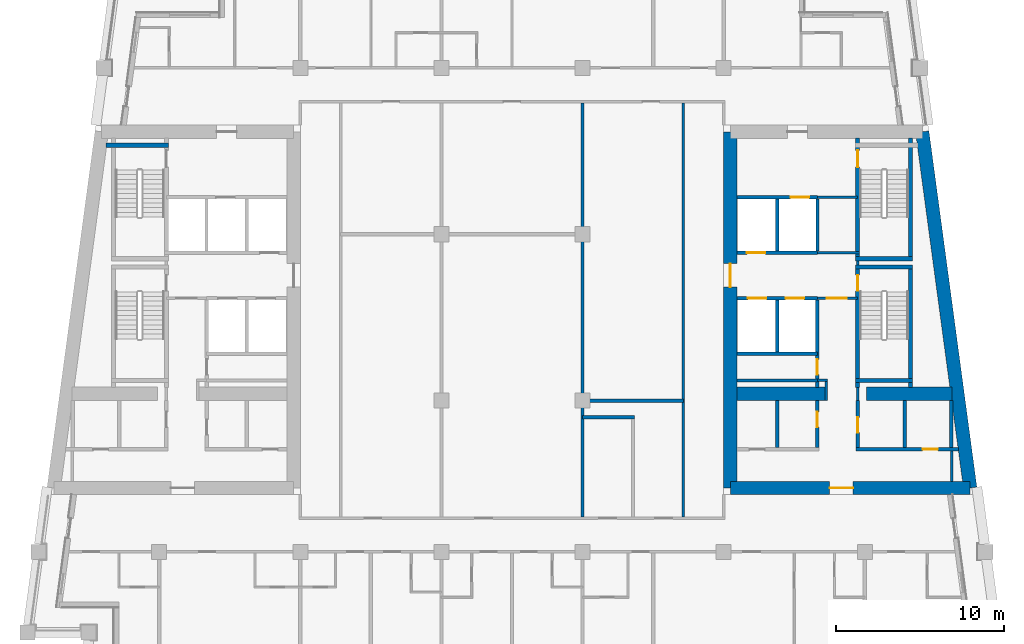
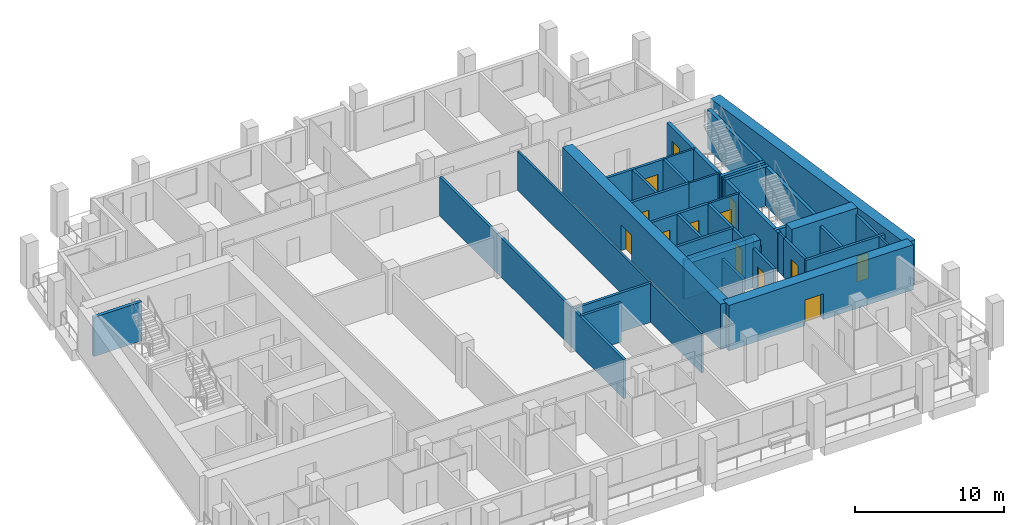
# One storey, part 5 of 13: 40 walls, 13 doors, 13 openings.
"""IFC4 building model written with IfcOpenShell, lengths in metres."""

import ifcopenshell
import ifcopenshell.guid

model = None  # the IFC model being written
_history = None  # IfcOwnerHistory: only IFC2X3 demands one
_inside = {}  # id of a spatial element -> (the spatial element, [elements in it])
_under = {}  # id of a project, library or spatial element -> (it, [spatial elements below it])
_declared = {}  # id of a project -> (the project, [libraries it declares])
_typed = {}  # id of a type object -> (the type object, [elements of that type])
_made_of = {}  # id of a material, layer set ... -> (it, [elements and type objects made of it])


def new_model(schema):
    """Start an empty IFC model of exactly this schema.

    Asked for "IFC4X3", IfcOpenShell would pick the latest addendum, in which some entities
    have other attributes; the version numbers below select the first issue.
    IFC2X3 requires an IfcOwnerHistory on every rooted entity: one is made here for all.
    """
    global model, _history
    if schema == "IFC4X3":
        model = ifcopenshell.file(schema_version=(4, 3, 0, 0))
    else:
        model = ifcopenshell.file(schema=schema)
    _inside.clear()
    _under.clear()
    _declared.clear()
    _typed.clear()
    _made_of.clear()
    _history = None
    if model.schema == "IFC2X3":
        org = make("IfcOrganization", Name="unknown")
        user = make(
            "IfcPersonAndOrganization",
            ThePerson=make("IfcPerson", FamilyName="unknown"),
            TheOrganization=org,
        )
        app = make(
            "IfcApplication",
            ApplicationDeveloper=org,
            Version="unknown",
            ApplicationFullName="unknown",
            ApplicationIdentifier="unknown",
        )
        _history = make(
            "IfcOwnerHistory",
            OwningUser=user,
            OwningApplication=app,
            ChangeAction="ADDED",
            CreationDate=0,
        )
    return model


def make(cls, **values):
    """One entity of the class cls with the attributes given. An attribute that is None is left unset."""
    return model.create_entity(
        cls, **{name: value for name, value in values.items() if value is not None}
    )


def rooted(cls, **values):
    """An entity with a GlobalId (a new one), such as an element, a storey or a relation."""
    return make(cls, GlobalId=ifcopenshell.guid.new(), OwnerHistory=_history, **values)


def si_unit(unit_type, name, prefix=None):
    """IfcSIUnit, for example si_unit("LENGTHUNIT", "METRE", prefix="MILLI")."""
    return make("IfcSIUnit", UnitType=unit_type, Prefix=prefix, Name=name)


def assignment(units):
    """IfcUnitAssignment: the units of a project."""
    return None if units is None else make("IfcUnitAssignment", Units=units)


def point(xyz):
    """IfcCartesianPoint."""
    return None if xyz is None else make("IfcCartesianPoint", Coordinates=xyz)


def direction(xyz):
    """IfcDirection."""
    return None if xyz is None else make("IfcDirection", DirectionRatios=xyz)


def frame(location, z_axis=None, x_axis=None):
    """IfcAxis2Placement3D, a coordinate frame: its origin and axes. An axis left out is left unset."""
    return make(
        "IfcAxis2Placement3D",
        Location=point(location),
        Axis=direction(z_axis),
        RefDirection=direction(x_axis),
    )


def frame_2d(location, x_axis=None):
    """IfcAxis2Placement2D, a coordinate frame in the plane: its origin and x axis."""
    return make(
        "IfcAxis2Placement2D", Location=point(location), RefDirection=direction(x_axis)
    )


def origin():
    """The frame at (0, 0, 0) with its axes left unset."""
    return frame((0.0, 0.0, 0.0))


def place(relative_to, where):
    """IfcLocalPlacement: puts the frame where relative to a parent placement (None: the world)."""
    return make(
        "IfcLocalPlacement", PlacementRelTo=relative_to, RelativePlacement=where
    )


def context(
    kind, dimensions, precision=None, world=None, true_north=None, identifier=None
):
    """IfcGeometricRepresentationContext, for example the 3D "Model" context."""
    return make(
        "IfcGeometricRepresentationContext",
        ContextIdentifier=identifier,
        ContextType=kind,
        CoordinateSpaceDimension=dimensions,
        Precision=precision,
        WorldCoordinateSystem=world,
        TrueNorth=true_north,
    )


def subcontext(parent, identifier, kind, view, scale=None):
    """IfcGeometricRepresentationSubContext, for example "Body" below "Model"."""
    return make(
        "IfcGeometricRepresentationSubContext",
        ContextIdentifier=identifier,
        ContextType=kind,
        ParentContext=parent,
        TargetScale=scale,
        TargetView=view,
    )


def project(units=None, contexts=None):
    """IfcProject with its units and contexts."""
    return rooted(
        "IfcProject",
        Name="project",
        RepresentationContexts=contexts,
        UnitsInContext=assignment(units),
    )


def spatial(cls, under=None, at=None, **own):
    """A site, building, storey or space (cls), placed at a placement, below another one or the project."""
    s = rooted(cls, ObjectPlacement=at, **own)
    if under is not None:
        _under.setdefault(under.id(), (under, []))[1].append(s)
    return s


def profile(cls, at=None, kind="AREA", **sizes):
    """A parametric profile (cls). Its sizes go by their IFC names, for example OverallWidth=200.0."""
    return make(cls, ProfileType=kind, Position=at, **sizes)


def rectangle(**sizes):
    """IfcRectangleProfileDef."""
    return profile("IfcRectangleProfileDef", **sizes)


def extrude(swept, where, along, depth):
    """IfcExtrudedAreaSolid: the profile swept, set in the frame where, extruded along a direction by depth."""
    return make(
        "IfcExtrudedAreaSolid",
        SweptArea=swept,
        Position=where,
        ExtrudedDirection=direction(along),
        Depth=depth,
    )


def shape(context_of_items, identifier, shape_type, items):
    """IfcShapeRepresentation: the items that make up one representation, for example the "Body"."""
    return make(
        "IfcShapeRepresentation",
        ContextOfItems=context_of_items,
        RepresentationIdentifier=identifier,
        RepresentationType=shape_type,
        Items=items,
    )


def material(Name=None, Category=None):
    """IfcMaterial."""
    return make("IfcMaterial", Name=Name, Category=Category)


def layer(
    of_material, thickness, ventilated=None, Name=None, Category=None, Priority=None
):
    """IfcMaterialLayer: one layer of a wall or slab, of a material (None: an air gap)."""
    return make(
        "IfcMaterialLayer",
        Material=of_material,
        LayerThickness=thickness,
        IsVentilated=ventilated,
        Name=Name,
        Category=Category,
        Priority=Priority,
    )


def layer_set(layers, Name=None):
    """IfcMaterialLayerSet."""
    return make("IfcMaterialLayerSet", MaterialLayers=layers, LayerSetName=Name)


def made_of(thing, what):
    """Note that an element or type object is made of a material, layer set ...; save() writes the relation."""
    if what is not None:
        _made_of.setdefault(what.id(), (what, []))[1].append(thing)
    return thing


def type_object(cls, material=None, **own):
    """A type object (cls), such as IfcWallType, which elements share."""
    return made_of(rooted(cls, **own), material)


def element(
    cls,
    number,
    at=None,
    inside=None,
    cuts=None,
    type_object=None,
    material=None,
    context=None,
    identifier="Body",
    shape_type=None,
    held_by="IfcProductDefinitionShape",
    body=None,
    shapes=None,
    **own,
):
    """One element of the class cls, such as IfcWall. Its Tag is "e" and its number.

    at: its placement. inside: the storey or other place that contains it. cuts: it is an
    opening in that element (IfcRelVoidsElement). A single representation is given by context,
    identifier, shape_type and body (its items); several are given by shapes. held_by: the class
    of the entity that holds the representations. save() writes the other relations.
    """
    e = rooted(cls, Tag="e%d" % number, ObjectPlacement=at, **own)
    if body is not None:
        shapes = [shape(context, identifier, shape_type, body)]
    if shapes is not None:
        e.Representation = make(held_by, Representations=shapes)
    if inside is not None:
        _inside.setdefault(inside.id(), (inside, []))[1].append(e)
    if cuts is not None:
        rooted(
            "IfcRelVoidsElement", RelatingBuildingElement=cuts, RelatedOpeningElement=e
        )
    if type_object is not None:
        _typed.setdefault(type_object.id(), (type_object, []))[1].append(e)
    return made_of(e, material)


def fill(opening, filler):
    """IfcRelFillsElement: the door or window that sits in an opening."""
    return rooted(
        "IfcRelFillsElement",
        RelatingOpeningElement=opening,
        RelatedBuildingElement=filler,
    )


def aggregate(whole, parts):
    """IfcRelAggregates: a whole, such as a stair, and the parts it consists of."""
    return rooted("IfcRelAggregates", RelatingObject=whole, RelatedObjects=parts)


def save(model, path):
    """Write the relations noted so far, then the file.

    IfcRelAggregates (storeys below a building ...), IfcRelContainedInSpatialStructure (elements
    in a storey), IfcRelDefinesByType, IfcRelAssociatesMaterial and IfcRelDeclares: one each for
    every whole, place, type object, material and project.
    """
    for whole, parts in _under.values():
        aggregate(whole, parts)
    for where, things in _inside.values():
        rooted(
            "IfcRelContainedInSpatialStructure",
            RelatedElements=things,
            RelatingStructure=where,
        )
    for kind, things in _typed.values():
        rooted("IfcRelDefinesByType", RelatedObjects=things, RelatingType=kind)
    for what, things in _made_of.values():
        rooted("IfcRelAssociatesMaterial", RelatedObjects=things, RelatingMaterial=what)
    for by, libraries in _declared.values():
        rooted("IfcRelDeclares", RelatingContext=by, RelatedDefinitions=libraries)
    model.write(path)


model = new_model("IFC4")

# Units and contexts
model_context = context("Model", 3, precision=1e-05, world=origin(), true_north=direction((0.0, 1.0)))
body_context = subcontext(model_context, "Body", "Model", "MODEL_VIEW")
ifc_project = project(units=[si_unit("LENGTHUNIT", "METRE"), si_unit("AREAUNIT", "SQUARE_METRE"), si_unit("VOLUMEUNIT", "CUBIC_METRE"), si_unit("PLANEANGLEUNIT", "RADIAN"), si_unit("MASSUNIT", "GRAM", prefix="KILO")], contexts=[model_context])

# Site, building, storey
site_placement = place(None, origin())
site = spatial("IfcSite", under=ifc_project, at=site_placement, CompositionType="ELEMENT")
building_placement = place(site_placement, origin())
building = spatial("IfcBuilding", under=site, at=building_placement, Name="Candeia Pilgrim Tower and Theatre", CompositionType="ELEMENT")
storey_placement = place(building_placement, frame((0.0, 0.0, 242.89990234375)))
storey = spatial("IfcBuildingStorey", under=building, at=storey_placement, Name="L59", CompositionType="ELEMENT", Elevation=242.89990234375)

# Wall
ifc_material_1 = material(Name="Concrete C50/60", Category="concrete")
ifc_layer_1 = layer(ifc_material_1, 0.800048828125)
ifc_layer_set_1 = layer_set([ifc_layer_1], Name="Core wall 800 C50/60")
wall_type_1 = type_object("IfcWallType", Name="Core wall 800 C50/60", PredefinedType="SHEAR", material=ifc_layer_set_1)
wall_1_placement = place(storey_placement, frame((137.819580078125, 132.0, 0.0), z_axis=(0.0, 0.0, 1.0), x_axis=(0.133408347329, -0.991061154956, 0.0)))
element("IfcWall", 1, at=wall_1_placement, inside=storey, type_object=wall_type_1, Name="Core wall E2", PredefinedType="SHEAR", context=body_context, shape_type="SweptSolid", body=[
    extrude(rectangle(XDim=21.39111328125, YDim=0.800048828125, at=frame_2d((10.695556640625, 0.0))), origin(), (0.0, 0.0, 1.0), 3.7001953125),
])

# Wall, opening, door
wall_2_placement = place(storey_placement, frame((140.67333984375, 110.800048828125, 0.0), z_axis=(0.0, 0.0, 1.0), x_axis=(-1.0, 0.0, 0.0)))
wall_2 = element("IfcWall", 2, at=wall_2_placement, inside=storey, type_object=wall_type_1, Name="Core wall E3", PredefinedType="SHEAR", context=body_context, shape_type="SweptSolid", body=[
    extrude(rectangle(XDim=14.2734375, YDim=0.800048828125, at=frame_2d((7.13671875, 0.0))), origin(), (0.0, 0.0, 1.0), 3.7001953125),
])
opening_1_placement = place(wall_2_placement, frame((6.96533203125, 0.0, 0.0)))
opening_1 = element("IfcOpeningElement", 3, at=opening_1_placement, cuts=wall_2, Name="Opening L59-D059", PredefinedType="OPENING", context=body_context, shape_type="SweptSolid", body=[
    extrude(rectangle(XDim=1.39990234375, YDim=2.10009765625, at=frame_2d((0.699951171875, 1.050048828125))), frame((0.0, 0.41015625, 0.0), z_axis=(0.0, -1.0, 0.0), x_axis=(1.0, 0.0, 0.0)), (0.0, 0.0, 1.0), 0.820068359375),
])
ifc_material_2 = material(Name="Steel fire door set", Category="steel")
door_type_1 = type_object("IfcDoorType", Name="D-1400-FD60", OperationType="NOTDEFINED", PredefinedType="DOOR", material=ifc_material_2)
door_1_placement = place(opening_1_placement, origin())
door_1 = element("IfcDoor", 4, at=door_1_placement, inside=storey, type_object=door_type_1, Name="Door L59-D059", OperationType="SINGLE_SWING_RIGHT", OverallHeight=2.10009765625, OverallWidth=1.39990234375, PredefinedType="DOOR", context=body_context, shape_type="SweptSolid", body=[
    extrude(rectangle(XDim=1.39990234375, YDim=2.10009765625, at=frame_2d((0.699951171875, 1.050048828125))), frame((0.0, 0.02490234375, 0.0), z_axis=(0.0, -1.0, 0.0), x_axis=(1.0, 0.0, 0.0)), (0.0, 0.0, 1.0), 0.050048828125),
])
fill(opening_1, door_1)

wall_3_placement = place(storey_placement, frame((126.39990234375, 110.800048828125, 0.0), z_axis=(0.0, 0.0, 1.0), x_axis=(0.0, 1.0, 0.0)))
wall_3 = element("IfcWall", 5, at=wall_3_placement, inside=storey, type_object=wall_type_1, Name="Core wall E4", PredefinedType="SHEAR", context=body_context, shape_type="SweptSolid", body=[
    extrude(rectangle(XDim=21.199951171875, YDim=0.800048828125, at=frame_2d((10.60009765625, 0.0))), origin(), (0.0, 0.0, 1.0), 3.7001953125),
])
opening_2_placement = place(wall_3_placement, frame((11.949951171875, 0.0, 0.0)))
opening_2 = element("IfcOpeningElement", 6, at=opening_2_placement, cuts=wall_3, Name="Opening L59-D061", PredefinedType="OPENING", context=body_context, shape_type="SweptSolid", body=[
    extrude(rectangle(XDim=1.39990234375, YDim=2.10009765625, at=frame_2d((0.699951171875, 1.050048828125))), frame((0.0, 0.41015625, 0.0), z_axis=(0.0, -1.0, 0.0), x_axis=(1.0, 0.0, 0.0)), (0.0, 0.0, 1.0), 0.820068359375),
])
door_2_placement = place(opening_2_placement, origin())
door_2 = element("IfcDoor", 7, at=door_2_placement, inside=storey, type_object=door_type_1, Name="Door L59-D061", OperationType="SINGLE_SWING_RIGHT", OverallHeight=2.10009765625, OverallWidth=1.39990234375, PredefinedType="DOOR", context=body_context, shape_type="SweptSolid", body=[
    extrude(rectangle(XDim=1.39990234375, YDim=2.10009765625, at=frame_2d((0.699951171875, 1.050048828125))), frame((0.0, 0.02490234375, 0.0), z_axis=(0.0, -1.0, 0.0), x_axis=(1.0, 0.0, 0.0)), (0.0, 0.0, 1.0), 0.050048828125),
])
fill(opening_2, door_2)

# Walls
wall_4_placement = place(storey_placement, frame((126.800048828125, 116.39990234375, 0.0), z_axis=(0.0, 0.0, 1.0), x_axis=(1.0, 0.0, 0.0)))
element("IfcWall", 8, at=wall_4_placement, inside=storey, type_object=wall_type_1, Name="Core wall E5", PredefinedType="SHEAR", context=body_context, shape_type="SweptSolid", body=[
    extrude(rectangle(XDim=5.300048828125, YDim=0.800048828125, at=frame_2d((2.64990234375, 0.0))), origin(), (0.0, 0.0, 1.0), 3.7001953125),
])
wall_5_placement = place(storey_placement, frame((134.5, 116.39990234375, 0.0), z_axis=(0.0, 0.0, 1.0), x_axis=(1.0, 0.0, 0.0)))
element("IfcWall", 9, at=wall_5_placement, inside=storey, type_object=wall_type_1, Name="Core wall E6", PredefinedType="SHEAR", context=body_context, shape_type="SweptSolid", body=[
    extrude(rectangle(XDim=5.076904296875, YDim=0.800048828125, at=frame_2d((2.53857421875, 0.0))), origin(), (0.0, 0.0, 1.0), 3.7001953125),
])
ifc_material_3 = material(Name="Gypsum board partition on steel studs", Category="steel")
ifc_layer_2 = layer(ifc_material_3, 0.14990234375)
ifc_layer_set_2 = layer_set([ifc_layer_2], Name="PW-150 lobby wall")
wall_type_2 = type_object("IfcWallType", Name="PW-150 lobby wall", PredefinedType="PARTITIONING", material=ifc_layer_set_2)
wall_6_placement = place(storey_placement, frame((131.572998046875, 117.199951171875, 0.0), z_axis=(0.0, 0.0, 1.0), x_axis=(1.0, 0.0, 0.0)))
element("IfcWall", 10, at=wall_6_placement, inside=storey, type_object=wall_type_2, Name="Lobby wall L59-020", PredefinedType="PARTITIONING", context=body_context, shape_type="SweptSolid", body=[
    extrude(rectangle(XDim=0.60205078125, YDim=0.14990234375, at=frame_2d((0.301025390625, 0.0))), origin(), (0.0, 0.0, 1.0), 3.2001953125),
])

# Wall, opening, door
wall_7_placement = place(storey_placement, frame((131.572998046875, 122.10009765625, 0.0), z_axis=(0.0, 0.0, 1.0), x_axis=(1.0, 0.0, 0.0)))
wall_7 = element("IfcWall", 11, at=wall_7_placement, inside=storey, type_object=wall_type_2, Name="Lobby wall L59-028", PredefinedType="PARTITIONING", context=body_context, shape_type="SweptSolid", body=[
    extrude(rectangle(XDim=2.39990234375, YDim=0.14990234375, at=frame_2d((1.199951171875, 0.0))), origin(), (0.0, 0.0, 1.0), 3.2001953125),
])
opening_3_placement = place(wall_7_placement, frame((0.550048828125, 0.0, 0.0)))
opening_3 = element("IfcOpeningElement", 12, at=opening_3_placement, cuts=wall_7, Name="Opening L59-D009", PredefinedType="OPENING", context=body_context, shape_type="SweptSolid", body=[
    extrude(rectangle(XDim=1.199951171875, YDim=2.10009765625, at=frame_2d((0.60009765625, 1.050048828125))), frame((0.0, 0.0849609375, 0.0), z_axis=(0.0, -1.0, 0.0), x_axis=(1.0, 0.0, 0.0)), (0.0, 0.0, 1.0), 0.169921875),
])
door_type_2 = type_object("IfcDoorType", Name="D-1200-FD60", OperationType="NOTDEFINED", PredefinedType="DOOR", material=ifc_material_2)
door_3_placement = place(opening_3_placement, origin())
door_3 = element("IfcDoor", 13, at=door_3_placement, inside=storey, type_object=door_type_2, Name="Door L59-D009", OperationType="SINGLE_SWING_RIGHT", OverallHeight=2.10009765625, OverallWidth=1.199951171875, PredefinedType="DOOR", context=body_context, shape_type="SweptSolid", body=[
    extrude(rectangle(XDim=1.199951171875, YDim=2.10009765625, at=frame_2d((0.60009765625, 1.050048828125))), frame((0.0, 0.02490234375, 0.0), z_axis=(0.0, -1.0, 0.0), x_axis=(1.0, 0.0, 0.0)), (0.0, 0.0, 1.0), 0.050048828125),
])
fill(opening_3, door_3)

# Walls
wall_8_placement = place(storey_placement, frame((131.58203125, 124.800048828125, 0.0), z_axis=(0.0, 0.0, 1.0), x_axis=(1.0, 0.0, 0.0)))
element("IfcWall", 14, at=wall_8_placement, inside=storey, type_object=wall_type_2, Name="Lobby wall L59-035", PredefinedType="PARTITIONING", context=body_context, shape_type="SweptSolid", body=[
    extrude(rectangle(XDim=2.515869140625, YDim=0.14990234375, at=frame_2d((1.2578125, 0.0))), origin(), (0.0, 0.0, 1.0), 3.2001953125),
])
wall_9_placement = place(storey_placement, frame((131.58203125, 128.10009765625, 0.0), z_axis=(0.0, 0.0, 1.0), x_axis=(1.0, 0.0, 0.0)))
element("IfcWall", 15, at=wall_9_placement, inside=storey, type_object=wall_type_2, Name="Lobby wall L59-039", PredefinedType="PARTITIONING", context=body_context, shape_type="SweptSolid", body=[
    extrude(rectangle(XDim=2.390869140625, YDim=0.14990234375, at=frame_2d((1.1953125, 0.0))), origin(), (0.0, 0.0, 1.0), 3.2001953125),
])
wall_10_placement = place(storey_placement, frame((132.10009765625, 116.0, 0.0), z_axis=(0.0, 0.0, 1.0), x_axis=(0.0, 1.0, 0.0)))
element("IfcWall", 16, at=wall_10_placement, inside=storey, type_object=wall_type_2, Name="Lobby wall L59-105", PredefinedType="PARTITIONING", context=body_context, shape_type="SweptSolid", body=[
    extrude(rectangle(XDim=1.125, YDim=0.14990234375, at=frame_2d((0.5625, 0.0))), origin(), (0.0, 0.0, 1.0), 3.2001953125),
])
wall_11_placement = place(storey_placement, frame((133.972900390625, 116.0, 0.0), z_axis=(0.0, 0.0, 1.0), x_axis=(0.0, 1.0, 0.0)))
element("IfcWall", 17, at=wall_11_placement, inside=storey, type_object=wall_type_2, Name="Lobby wall L59-109", PredefinedType="PARTITIONING", context=body_context, shape_type="SweptSolid", body=[
    extrude(rectangle(XDim=0.77001953125, YDim=0.14990234375, at=frame_2d((0.385009765625, 0.0))), origin(), (0.0, 0.0, 1.0), 3.2001953125),
])
wall_12_placement = place(storey_placement, frame((133.972900390625, 124.074951171875, 0.0), z_axis=(0.0, 0.0, 1.0), x_axis=(0.0, 1.0, 0.0)))
element("IfcWall", 18, at=wall_12_placement, inside=storey, type_object=wall_type_2, Name="Lobby wall L59-110", PredefinedType="PARTITIONING", context=body_context, shape_type="SweptSolid", body=[
    extrude(rectangle(XDim=0.25, YDim=0.14990234375, at=frame_2d((0.125, 0.0))), origin(), (0.0, 0.0, 1.0), 3.2001953125),
])
wall_13_placement = place(storey_placement, frame((139.572998046875, 111.199951171875, 0.0), z_axis=(0.0, 0.0, 1.0), x_axis=(0.0, 1.0, 0.0)))
element("IfcWall", 19, at=wall_13_placement, inside=storey, type_object=wall_type_2, Name="Lobby wall L59-119", PredefinedType="PARTITIONING", context=body_context, shape_type="SweptSolid", body=[
    extrude(rectangle(XDim=1.800048828125, YDim=0.14990234375, at=frame_2d((0.89990234375, 0.0))), origin(), (0.0, 0.0, 1.0), 3.2001953125),
])
ifc_layer_3 = layer(ifc_material_3, 0.14990234375)
ifc_layer_set_3 = layer_set([ifc_layer_3], Name="PW-150 unit wall")
wall_type_3 = type_object("IfcWallType", Name="PW-150 unit wall", PredefinedType="PARTITIONING", material=ifc_layer_set_3)
wall_14_placement = place(storey_placement, frame((123.60009765625, 109.074951171875, 0.0), z_axis=(0.0, 0.0, 1.0), x_axis=(0.0, 1.0, 0.0)))
element("IfcWall", 20, at=wall_14_placement, inside=storey, type_object=wall_type_3, Name="Unit wall L59-093", PredefinedType="PARTITIONING", context=body_context, shape_type="SweptSolid", body=[
    extrude(rectangle(XDim=24.650146484375, YDim=0.14990234375, at=frame_2d((12.3251953125, 0.0))), origin(), (0.0, 0.0, 1.0), 3.2001953125),
])
ifc_layer_4 = layer(ifc_material_3, 0.199951171875)
ifc_layer_set_4 = layer_set([ifc_layer_4], Name="PW-200 party wall")
wall_type_4 = type_object("IfcWallType", Name="PW-200 party wall", PredefinedType="PARTITIONING", material=ifc_layer_set_4)
wall_15_placement = place(storey_placement, frame((117.60009765625, 115.0, 0.0), z_axis=(0.0, 0.0, 1.0), x_axis=(1.0, 0.0, 0.0)))
element("IfcWall", 21, at=wall_15_placement, inside=storey, type_object=wall_type_4, Name="Party wall L59-015", PredefinedType="PARTITIONING", context=body_context, shape_type="SweptSolid", body=[
    extrude(rectangle(XDim=3.099853515625, YDim=0.199951171875, at=frame_2d((1.5498046875, 0.0))), origin(), (0.0, 0.0, 1.0), 3.2001953125),
])
wall_16_placement = place(storey_placement, frame((117.60009765625, 116.0, 0.0), z_axis=(0.0, 0.0, 1.0), x_axis=(1.0, 0.0, 0.0)))
element("IfcWall", 22, at=wall_16_placement, inside=storey, type_object=wall_type_4, Name="Party wall L59-016", PredefinedType="PARTITIONING", context=body_context, shape_type="SweptSolid", body=[
    extrude(rectangle(XDim=6.0, YDim=0.199951171875, at=frame_2d((3.0, 0.0))), origin(), (0.0, 0.0, 1.0), 3.2001953125),
])
wall_17_placement = place(storey_placement, frame((117.60009765625, 109.074951171875, 0.0), z_axis=(0.0, 0.0, 1.0), x_axis=(0.0, 1.0, 0.0)))
element("IfcWall", 23, at=wall_17_placement, inside=storey, type_object=wall_type_4, Name="Party wall L59-088", PredefinedType="PARTITIONING", context=body_context, shape_type="SweptSolid", body=[
    extrude(rectangle(XDim=24.650146484375, YDim=0.199951171875, at=frame_2d((12.3251953125, 0.0))), origin(), (0.0, 0.0, 1.0), 3.2001953125),
])

# Wall, opening, door
ifc_material_4 = material(Name="Concrete C40/50", Category="concrete")
ifc_layer_5 = layer(ifc_material_4, 0.199951171875)
ifc_layer_set_5 = layer_set([ifc_layer_5], Name="SW-200 shaft wall")
wall_type_5 = type_object("IfcWallType", Name="SW-200 shaft wall", PredefinedType="PARTITIONING", material=ifc_layer_set_5)
wall_18_placement = place(storey_placement, frame((133.873046875, 113.10009765625, 0.0), z_axis=(0.0, 0.0, 1.0), x_axis=(1.0, 0.0, 0.0)))
wall_18 = element("IfcWall", 24, at=wall_18_placement, inside=storey, type_object=wall_type_5, Name="Shaft wall L59-014", PredefinedType="PARTITIONING", context=body_context, shape_type="SweptSolid", body=[
    extrude(rectangle(XDim=6.116943359375, YDim=0.199951171875, at=frame_2d((3.05859375, 0.0))), origin(), (0.0, 0.0, 1.0), 3.2001953125),
])
opening_4_placement = place(wall_18_placement, frame((3.969970703125, 0.0, 0.0)))
opening_4 = element("IfcOpeningElement", 25, at=opening_4_placement, cuts=wall_18, Name="Opening L59-D013", PredefinedType="OPENING", context=body_context, shape_type="SweptSolid", body=[
    extrude(rectangle(XDim=0.89990234375, YDim=2.10009765625, at=frame_2d((0.449951171875, 1.050048828125))), frame((0.0, 0.10986328125, 0.0), z_axis=(0.0, -1.0, 0.0), x_axis=(1.0, 0.0, 0.0)), (0.0, 0.0, 1.0), 0.219970703125),
])
door_type_3 = type_object("IfcDoorType", Name="D-900-FD60", OperationType="NOTDEFINED", PredefinedType="DOOR", material=ifc_material_2)
door_4_placement = place(opening_4_placement, origin())
door_4 = element("IfcDoor", 26, at=door_4_placement, inside=storey, type_object=door_type_3, Name="Door L59-D013", OperationType="SINGLE_SWING_RIGHT", OverallHeight=2.10009765625, OverallWidth=0.89990234375, PredefinedType="DOOR", context=body_context, shape_type="SweptSolid", body=[
    extrude(rectangle(XDim=0.89990234375, YDim=2.10009765625, at=frame_2d((0.449951171875, 1.050048828125))), frame((0.0, 0.02490234375, 0.0), z_axis=(0.0, -1.0, 0.0), x_axis=(1.0, 0.0, 0.0)), (0.0, 0.0, 1.0), 0.050048828125),
])
fill(opening_4, door_4)

# Walls
for number, where, z_axis, x_axis, name in (
    (27, (126.800048828125, 117.199951171875, 0.0), (0.0, 0.0, 1.0), (1.0, 0.0, 0.0), "Shaft wall L59-018"),
    (28, (126.800048828125, 118.800048828125, 0.0), (0.0, 0.0, 1.0), (1.0, 0.0, 0.0), "Shaft wall L59-024"),
):
    element("IfcWall", number, at=place(storey_placement, frame(where, z_axis=z_axis, x_axis=x_axis)), inside=storey, type_object=wall_type_5, Name=name, PredefinedType="PARTITIONING", context=body_context, shape_type="SweptSolid", body=[
        extrude(rectangle(XDim=4.77294921875, YDim=0.199951171875, at=frame_2d((2.386474609375, 0.0))), origin(), (0.0, 0.0, 1.0), 3.2001953125),
    ])

# Wall, openings, doors
wall_19_placement = place(storey_placement, frame((126.800048828125, 122.10009765625, 0.0), z_axis=(0.0, 0.0, 1.0), x_axis=(1.0, 0.0, 0.0)))
wall_19 = element("IfcWall", 29, at=wall_19_placement, inside=storey, type_object=wall_type_5, Name="Shaft wall L59-026", PredefinedType="PARTITIONING", context=body_context, shape_type="SweptSolid", body=[
    extrude(rectangle(XDim=4.77294921875, YDim=0.199951171875, at=frame_2d((2.386474609375, 0.0))), origin(), (0.0, 0.0, 1.0), 3.2001953125),
])
opening_5_placement = place(wall_19_placement, frame((2.883056640625, 0.0, 0.0)))
opening_5 = element("IfcOpeningElement", 30, at=opening_5_placement, cuts=wall_19, Name="Opening L59-LD05", PredefinedType="OPENING", context=body_context, shape_type="SweptSolid", body=[
    extrude(rectangle(XDim=1.10009765625, YDim=2.10009765625, at=frame_2d((0.550048828125, 1.050048828125))), frame((0.0, 0.10986328125, 0.0), z_axis=(0.0, -1.0, 0.0), x_axis=(1.0, 0.0, 0.0)), (0.0, 0.0, 1.0), 0.219970703125),
])
opening_6_placement = place(wall_19_placement, frame((0.64306640625, 0.0, 0.0)))
opening_6 = element("IfcOpeningElement", 31, at=opening_6_placement, cuts=wall_19, Name="Opening L59-LD06", PredefinedType="OPENING", context=body_context, shape_type="SweptSolid", body=[
    extrude(rectangle(XDim=1.10009765625, YDim=2.10009765625, at=frame_2d((0.550048828125, 1.050048828125))), frame((0.0, 0.10986328125, 0.0), z_axis=(0.0, -1.0, 0.0), x_axis=(1.0, 0.0, 0.0)), (0.0, 0.0, 1.0), 0.219970703125),
])
ifc_material_5 = material(Name="Glazed aluminium landing door", Category="aluminium")
door_type_4 = type_object("IfcDoorType", Name="LD-1100-EI120", OperationType="SLIDING_TO_LEFT", PredefinedType="DOOR", material=ifc_material_5)
door_5_placement = place(opening_5_placement, origin())
door_5 = element("IfcDoor", 32, at=door_5_placement, inside=storey, type_object=door_type_4, Name="Landing door 05 L59", OperationType="SLIDING_TO_LEFT", OverallHeight=2.10009765625, OverallWidth=1.10009765625, PredefinedType="DOOR", context=body_context, shape_type="SweptSolid", body=[
    extrude(rectangle(XDim=1.10009765625, YDim=2.10009765625, at=frame_2d((0.550048828125, 1.050048828125))), frame((0.0, 0.02490234375, 0.0), z_axis=(0.0, -1.0, 0.0), x_axis=(1.0, 0.0, 0.0)), (0.0, 0.0, 1.0), 0.050048828125),
])
fill(opening_5, door_5)
door_6_placement = place(opening_6_placement, origin())
door_6 = element("IfcDoor", 33, at=door_6_placement, inside=storey, type_object=door_type_4, Name="Landing door 06 L59", OperationType="SLIDING_TO_LEFT", OverallHeight=2.10009765625, OverallWidth=1.10009765625, PredefinedType="DOOR", context=body_context, shape_type="SweptSolid", body=[
    extrude(rectangle(XDim=1.10009765625, YDim=2.10009765625, at=frame_2d((0.550048828125, 1.050048828125))), frame((0.0, 0.02490234375, 0.0), z_axis=(0.0, -1.0, 0.0), x_axis=(1.0, 0.0, 0.0)), (0.0, 0.0, 1.0), 0.050048828125),
])
fill(opening_6, door_6)

# Wall, opening, door
wall_20_placement = place(storey_placement, frame((126.800048828125, 124.800048828125, 0.0), z_axis=(0.0, 0.0, 1.0), x_axis=(1.0, 0.0, 0.0)))
wall_20 = element("IfcWall", 34, at=wall_20_placement, inside=storey, type_object=wall_type_5, Name="Shaft wall L59-034", PredefinedType="PARTITIONING", context=body_context, shape_type="SweptSolid", body=[
    extrude(rectangle(XDim=4.781982421875, YDim=0.199951171875, at=frame_2d((2.39111328125, 0.0))), origin(), (0.0, 0.0, 1.0), 3.2001953125),
])
opening_7_placement = place(wall_20_placement, frame((0.5859375, 0.0, 0.0)))
opening_7 = element("IfcOpeningElement", 35, at=opening_7_placement, cuts=wall_20, Name="Opening L59-LD08", PredefinedType="OPENING", context=body_context, shape_type="SweptSolid", body=[
    extrude(rectangle(XDim=1.10009765625, YDim=2.10009765625, at=frame_2d((0.550048828125, 1.050048828125))), frame((0.0, 0.10986328125, 0.0), z_axis=(0.0, -1.0, 0.0), x_axis=(1.0, 0.0, 0.0)), (0.0, 0.0, 1.0), 0.219970703125),
])
door_7_placement = place(opening_7_placement, origin())
door_7 = element("IfcDoor", 36, at=door_7_placement, inside=storey, type_object=door_type_4, Name="Landing door 08 L59", OperationType="SLIDING_TO_LEFT", OverallHeight=2.10009765625, OverallWidth=1.10009765625, PredefinedType="DOOR", context=body_context, shape_type="SweptSolid", body=[
    extrude(rectangle(XDim=1.10009765625, YDim=2.10009765625, at=frame_2d((0.550048828125, 1.050048828125))), frame((0.0, 0.02490234375, 0.0), z_axis=(0.0, -1.0, 0.0), x_axis=(1.0, 0.0, 0.0)), (0.0, 0.0, 1.0), 0.050048828125),
])
fill(opening_7, door_7)

wall_21_placement = place(storey_placement, frame((126.800048828125, 128.10009765625, 0.0), z_axis=(0.0, 0.0, 1.0), x_axis=(1.0, 0.0, 0.0)))
wall_21 = element("IfcWall", 37, at=wall_21_placement, inside=storey, type_object=wall_type_5, Name="Shaft wall L59-038", PredefinedType="PARTITIONING", context=body_context, shape_type="SweptSolid", body=[
    extrude(rectangle(XDim=4.781982421875, YDim=0.199951171875, at=frame_2d((2.39111328125, 0.0))), origin(), (0.0, 0.0, 1.0), 3.2001953125),
])
opening_8_placement = place(wall_21_placement, frame((3.18408203125, 0.0, 0.0)))
opening_8 = element("IfcOpeningElement", 38, at=opening_8_placement, cuts=wall_21, Name="Opening L59-LD07", PredefinedType="OPENING", context=body_context, shape_type="SweptSolid", body=[
    extrude(rectangle(XDim=1.10009765625, YDim=2.10009765625, at=frame_2d((0.550048828125, 1.050048828125))), frame((0.0, 0.10986328125, 0.0), z_axis=(0.0, -1.0, 0.0), x_axis=(1.0, 0.0, 0.0)), (0.0, 0.0, 1.0), 0.219970703125),
])
door_8_placement = place(opening_8_placement, origin())
door_8 = element("IfcDoor", 39, at=door_8_placement, inside=storey, type_object=door_type_4, Name="Landing door 07 L59", OperationType="SLIDING_TO_LEFT", OverallHeight=2.10009765625, OverallWidth=1.10009765625, PredefinedType="DOOR", context=body_context, shape_type="SweptSolid", body=[
    extrude(rectangle(XDim=1.10009765625, YDim=2.10009765625, at=frame_2d((0.550048828125, 1.050048828125))), frame((0.0, 0.02490234375, 0.0), z_axis=(0.0, -1.0, 0.0), x_axis=(1.0, 0.0, 0.0)), (0.0, 0.0, 1.0), 0.050048828125),
])
fill(opening_8, door_8)

# Walls
wall_22_placement = place(storey_placement, frame((129.1865234375, 113.199951171875, 0.0), z_axis=(0.0, 0.0, 1.0), x_axis=(0.0, 1.0, 0.0)))
element("IfcWall", 40, at=wall_22_placement, inside=storey, type_object=wall_type_5, Name="Shaft wall L59-097", PredefinedType="PARTITIONING", context=body_context, shape_type="SweptSolid", body=[
    extrude(rectangle(XDim=2.800048828125, YDim=0.199951171875, at=frame_2d((1.39990234375, 0.0))), origin(), (0.0, 0.0, 1.0), 3.2001953125),
])
for number, where, z_axis, x_axis, name in (
    (41, (129.1865234375, 118.89990234375, 0.0), (0.0, 0.0, 1.0), (0.0, 1.0, 0.0), "Shaft wall L59-098"),
    (42, (129.19091796875, 124.89990234375, 0.0), (0.0, 0.0, 1.0), (0.0, 1.0, 0.0), "Shaft wall L59-099"),
):
    element("IfcWall", number, at=place(storey_placement, frame(where, z_axis=z_axis, x_axis=x_axis)), inside=storey, type_object=wall_type_5, Name=name, PredefinedType="PARTITIONING", context=body_context, shape_type="SweptSolid", body=[
        extrude(rectangle(XDim=3.10009765625, YDim=0.199951171875, at=frame_2d((1.550048828125, 0.0))), origin(), (0.0, 0.0, 1.0), 3.2001953125),
    ])

# Wall, opening, door
wall_23_placement = place(storey_placement, frame((131.572998046875, 113.199951171875, 0.0), z_axis=(0.0, 0.0, 1.0), x_axis=(0.0, 1.0, 0.0)))
wall_23 = element("IfcWall", 43, at=wall_23_placement, inside=storey, type_object=wall_type_5, Name="Shaft wall L59-102", PredefinedType="PARTITIONING", context=body_context, shape_type="SweptSolid", body=[
    extrude(rectangle(XDim=2.800048828125, YDim=0.199951171875, at=frame_2d((1.39990234375, 0.0))), origin(), (0.0, 0.0, 1.0), 3.2001953125),
])
opening_9_placement = place(wall_23_placement, frame((1.22509765625, 0.0, 0.0)))
opening_9 = element("IfcOpeningElement", 44, at=opening_9_placement, cuts=wall_23, Name="Opening L59-D015", PredefinedType="OPENING", context=body_context, shape_type="SweptSolid", body=[
    extrude(rectangle(XDim=0.89990234375, YDim=2.10009765625, at=frame_2d((0.449951171875, 1.050048828125))), frame((0.0, 0.10986328125, 0.0), z_axis=(0.0, -1.0, 0.0), x_axis=(1.0, 0.0, 0.0)), (0.0, 0.0, 1.0), 0.219970703125),
])
door_9_placement = place(opening_9_placement, origin())
door_9 = element("IfcDoor", 45, at=door_9_placement, inside=storey, type_object=door_type_3, Name="Door L59-D015", OperationType="SINGLE_SWING_RIGHT", OverallHeight=2.10009765625, OverallWidth=0.89990234375, PredefinedType="DOOR", context=body_context, shape_type="SweptSolid", body=[
    extrude(rectangle(XDim=0.89990234375, YDim=2.10009765625, at=frame_2d((0.449951171875, 1.050048828125))), frame((0.0, 0.02490234375, 0.0), z_axis=(0.0, -1.0, 0.0), x_axis=(1.0, 0.0, 0.0)), (0.0, 0.0, 1.0), 0.050048828125),
])
fill(opening_9, door_9)

wall_24_placement = place(storey_placement, frame((131.572998046875, 116.77001953125, 0.0), z_axis=(0.0, 0.0, 1.0), x_axis=(0.0, 1.0, 0.0)))
wall_24 = element("IfcWall", 46, at=wall_24_placement, inside=storey, type_object=wall_type_5, Name="Shaft wall L59-103", PredefinedType="PARTITIONING", context=body_context, shape_type="SweptSolid", body=[
    extrude(rectangle(XDim=5.22998046875, YDim=0.199951171875, at=frame_2d((2.614990234375, 0.0))), origin(), (0.0, 0.0, 1.0), 3.2001953125),
])
opening_10_placement = place(wall_24_placement, frame((0.780029296875, 0.0, 0.0)))
opening_10 = element("IfcOpeningElement", 47, at=opening_10_placement, cuts=wall_24, Name="Opening L59-D012", PredefinedType="OPENING", context=body_context, shape_type="SweptSolid", body=[
    extrude(rectangle(XDim=0.89990234375, YDim=2.10009765625, at=frame_2d((0.449951171875, 1.050048828125))), frame((0.0, 0.10986328125, 0.0), z_axis=(0.0, -1.0, 0.0), x_axis=(1.0, 0.0, 0.0)), (0.0, 0.0, 1.0), 0.219970703125),
])
door_10_placement = place(opening_10_placement, origin())
door_10 = element("IfcDoor", 48, at=door_10_placement, inside=storey, type_object=door_type_3, Name="Door L59-D012", OperationType="SINGLE_SWING_LEFT", OverallHeight=2.10009765625, OverallWidth=0.89990234375, PredefinedType="DOOR", context=body_context, shape_type="SweptSolid", body=[
    extrude(rectangle(XDim=0.89990234375, YDim=2.10009765625, at=frame_2d((0.449951171875, 1.050048828125))), frame((0.0, 0.02490234375, 0.0), z_axis=(0.0, -1.0, 0.0), x_axis=(1.0, 0.0, 0.0)), (0.0, 0.0, 1.0), 0.050048828125),
])
fill(opening_10, door_10)

# Wall
wall_25_placement = place(storey_placement, frame((131.58203125, 124.89990234375, 0.0), z_axis=(0.0, 0.0, 1.0), x_axis=(0.0, 1.0, 0.0)))
element("IfcWall", 49, at=wall_25_placement, inside=storey, type_object=wall_type_5, Name="Shaft wall L59-104", PredefinedType="PARTITIONING", context=body_context, shape_type="SweptSolid", body=[
    extrude(rectangle(XDim=3.10009765625, YDim=0.199951171875, at=frame_2d((1.550048828125, 0.0))), origin(), (0.0, 0.0, 1.0), 3.2001953125),
])

# Wall, opening, door
wall_26_placement = place(storey_placement, frame((133.972900390625, 113.199951171875, 0.0), z_axis=(0.0, 0.0, 1.0), x_axis=(0.0, 1.0, 0.0)))
wall_26 = element("IfcWall", 50, at=wall_26_placement, inside=storey, type_object=wall_type_5, Name="Shaft wall L59-108", PredefinedType="PARTITIONING", context=body_context, shape_type="SweptSolid", body=[
    extrude(rectangle(XDim=2.800048828125, YDim=0.199951171875, at=frame_2d((1.39990234375, 0.0))), origin(), (0.0, 0.0, 1.0), 3.2001953125),
])
opening_11_placement = place(wall_26_placement, frame((0.89990234375, 0.0, 0.0)))
opening_11 = element("IfcOpeningElement", 51, at=opening_11_placement, cuts=wall_26, Name="Opening L59-D014", PredefinedType="OPENING", context=body_context, shape_type="SweptSolid", body=[
    extrude(rectangle(XDim=0.89990234375, YDim=2.10009765625, at=frame_2d((0.449951171875, 1.050048828125))), frame((0.0, 0.10986328125, 0.0), z_axis=(0.0, -1.0, 0.0), x_axis=(1.0, 0.0, 0.0)), (0.0, 0.0, 1.0), 0.219970703125),
])
door_11_placement = place(opening_11_placement, origin())
door_11 = element("IfcDoor", 52, at=door_11_placement, inside=storey, type_object=door_type_3, Name="Door L59-D014", OperationType="SINGLE_SWING_LEFT", OverallHeight=2.10009765625, OverallWidth=0.89990234375, PredefinedType="DOOR", context=body_context, shape_type="SweptSolid", body=[
    extrude(rectangle(XDim=0.89990234375, YDim=2.10009765625, at=frame_2d((0.449951171875, 1.050048828125))), frame((0.0, 0.02490234375, 0.0), z_axis=(0.0, -1.0, 0.0), x_axis=(1.0, 0.0, 0.0)), (0.0, 0.0, 1.0), 0.050048828125),
])
fill(opening_11, door_11)

# Walls
for number, where, z_axis, x_axis, name in (
    (53, (136.77294921875, 113.199951171875, 0.0), (0.0, 0.0, 1.0), (0.0, 1.0, 0.0), "Shaft wall L59-114"),
    (54, (139.550537109375, 113.199951171875, 0.0), (0.0, 0.0, 1.0), (0.0, 1.0, 0.0), "Shaft wall L59-118"),
):
    element("IfcWall", number, at=place(storey_placement, frame(where, z_axis=z_axis, x_axis=x_axis)), inside=storey, type_object=wall_type_5, Name=name, PredefinedType="PARTITIONING", context=body_context, shape_type="SweptSolid", body=[
        extrude(rectangle(XDim=2.800048828125, YDim=0.199951171875, at=frame_2d((1.39990234375, 0.0))), origin(), (0.0, 0.0, 1.0), 3.2001953125),
    ])
ifc_layer_6 = layer(ifc_material_4, 0.25)
ifc_layer_set_6 = layer_set([ifc_layer_6], Name="SW-250 stair wall")
wall_type_6 = type_object("IfcWallType", Name="SW-250 stair wall", PredefinedType="PARTITIONING", material=ifc_layer_set_6)
for number, where, z_axis, x_axis, name in (
    (55, (133.847900390625, 117.199951171875, 0.0), (0.0, 0.0, 1.0), (1.0, 0.0, 0.0), "Stair wall L59-022"),
    (56, (133.847900390625, 123.949951171875, 0.0), (0.0, 0.0, 1.0), (1.0, 0.0, 0.0), "Stair wall L59-030"),
    (57, (133.847900390625, 124.449951171875, 0.0), (0.0, 0.0, 1.0), (1.0, 0.0, 0.0), "Stair wall L59-032"),
):
    element("IfcWall", number, at=place(storey_placement, frame(where, z_axis=z_axis, x_axis=x_axis)), inside=storey, type_object=wall_type_6, Name=name, PredefinedType="PARTITIONING", context=body_context, shape_type="SweptSolid", body=[
        extrude(rectangle(XDim=3.400146484375, YDim=0.25, at=frame_2d((1.7001953125, 0.0))), origin(), (0.0, 0.0, 1.0), 3.2001953125),
    ])
wall_27_placement = place(storey_placement, frame((89.246337890625, 131.199951171875, 0.0), z_axis=(0.0, 0.0, 1.0), x_axis=(1.0, 0.0, 0.0)))
element("IfcWall", 58, at=wall_27_placement, inside=storey, type_object=wall_type_6, Name="Stair wall L59-040", PredefinedType="PARTITIONING", context=body_context, shape_type="SweptSolid", body=[
    extrude(rectangle(XDim=3.70556640625, YDim=0.25, at=frame_2d((1.852783203125, 0.0))), origin(), (0.0, 0.0, 1.0), 3.2001953125),
])

# Wall, opening, door
wall_28_placement = place(storey_placement, frame((133.972900390625, 116.77001953125, 0.0), z_axis=(0.0, 0.0, 1.0), x_axis=(0.0, 1.0, 0.0)))
wall_28 = element("IfcWall", 59, at=wall_28_placement, inside=storey, type_object=wall_type_6, Name="Stair wall L59-111", PredefinedType="PARTITIONING", context=body_context, shape_type="SweptSolid", body=[
    extrude(rectangle(XDim=7.054931640625, YDim=0.25, at=frame_2d((3.52734375, 0.0))), origin(), (0.0, 0.0, 1.0), 3.2001953125),
])
opening_12_placement = place(wall_28_placement, frame((5.7548828125, 0.0, 0.0)))
opening_12 = element("IfcOpeningElement", 60, at=opening_12_placement, cuts=wall_28, Name="Opening L59-D010", PredefinedType="OPENING", context=body_context, shape_type="SweptSolid", body=[
    extrude(rectangle(XDim=0.949951171875, YDim=2.10009765625, at=frame_2d((0.47509765625, 1.050048828125))), frame((0.0, 0.135009765625, 0.0), z_axis=(0.0, -1.0, 0.0), x_axis=(1.0, 0.0, 0.0)), (0.0, 0.0, 1.0), 0.27001953125),
])
door_type_5 = type_object("IfcDoorType", Name="D-950-FD60", OperationType="NOTDEFINED", PredefinedType="DOOR", material=ifc_material_2)
door_12_placement = place(opening_12_placement, origin())
door_12 = element("IfcDoor", 61, at=door_12_placement, inside=storey, type_object=door_type_5, Name="Door L59-D010", OperationType="SINGLE_SWING_LEFT", OverallHeight=2.10009765625, OverallWidth=0.949951171875, PredefinedType="DOOR", context=body_context, shape_type="SweptSolid", body=[
    extrude(rectangle(XDim=0.949951171875, YDim=2.10009765625, at=frame_2d((0.47509765625, 1.050048828125))), frame((0.0, 0.02490234375, 0.0), z_axis=(0.0, -1.0, 0.0), x_axis=(1.0, 0.0, 0.0)), (0.0, 0.0, 1.0), 0.050048828125),
])
fill(opening_12, door_12)

wall_29_placement = place(storey_placement, frame((133.972900390625, 124.574951171875, 0.0), z_axis=(0.0, 0.0, 1.0), x_axis=(0.0, 1.0, 0.0)))
wall_29 = element("IfcWall", 62, at=wall_29_placement, inside=storey, type_object=wall_type_6, Name="Stair wall L59-112", PredefinedType="PARTITIONING", context=body_context, shape_type="SweptSolid", body=[
    extrude(rectangle(XDim=7.054931640625, YDim=0.25, at=frame_2d((3.52734375, 0.0))), origin(), (0.0, 0.0, 1.0), 3.2001953125),
])
opening_13_placement = place(wall_29_placement, frame((5.324951171875, 0.0, 0.0)))
opening_13 = element("IfcOpeningElement", 63, at=opening_13_placement, cuts=wall_29, Name="Opening L59-D011", PredefinedType="OPENING", context=body_context, shape_type="SweptSolid", body=[
    extrude(rectangle(XDim=1.0, YDim=2.10009765625, at=frame_2d((0.5, 1.050048828125))), frame((0.0, 0.135009765625, 0.0), z_axis=(0.0, -1.0, 0.0), x_axis=(1.0, 0.0, 0.0)), (0.0, 0.0, 1.0), 0.27001953125),
])
door_type_6 = type_object("IfcDoorType", Name="D-1000-FD60", OperationType="NOTDEFINED", PredefinedType="DOOR", material=ifc_material_2)
door_13_placement = place(opening_13_placement, origin())
door_13 = element("IfcDoor", 64, at=door_13_placement, inside=storey, type_object=door_type_6, Name="Door L59-D011", OperationType="SINGLE_SWING_RIGHT", OverallHeight=2.10009765625, OverallWidth=1.0, PredefinedType="DOOR", context=body_context, shape_type="SweptSolid", body=[
    extrude(rectangle(XDim=1.0, YDim=2.10009765625, at=frame_2d((0.5, 1.050048828125))), frame((0.0, 0.02490234375, 0.0), z_axis=(0.0, -1.0, 0.0), x_axis=(1.0, 0.0, 0.0)), (0.0, 0.0, 1.0), 0.050048828125),
])
fill(opening_13, door_13)

# Walls
for number, where, z_axis, x_axis, name in (
    (65, (137.123046875, 116.77001953125, 0.0), (0.0, 0.0, 1.0), (0.0, 1.0, 0.0), "Stair wall L59-115"),
    (66, (137.123046875, 124.574951171875, 0.0), (0.0, 0.0, 1.0), (0.0, 1.0, 0.0), "Stair wall L59-116"),
):
    element("IfcWall", number, at=place(storey_placement, frame(where, z_axis=z_axis, x_axis=x_axis)), inside=storey, type_object=wall_type_6, Name=name, PredefinedType="PARTITIONING", context=body_context, shape_type="SweptSolid", body=[
        extrude(rectangle(XDim=7.054931640625, YDim=0.25, at=frame_2d((3.52734375, 0.0))), origin(), (0.0, 0.0, 1.0), 3.2001953125),
    ])

save(model, "model.ifc")
